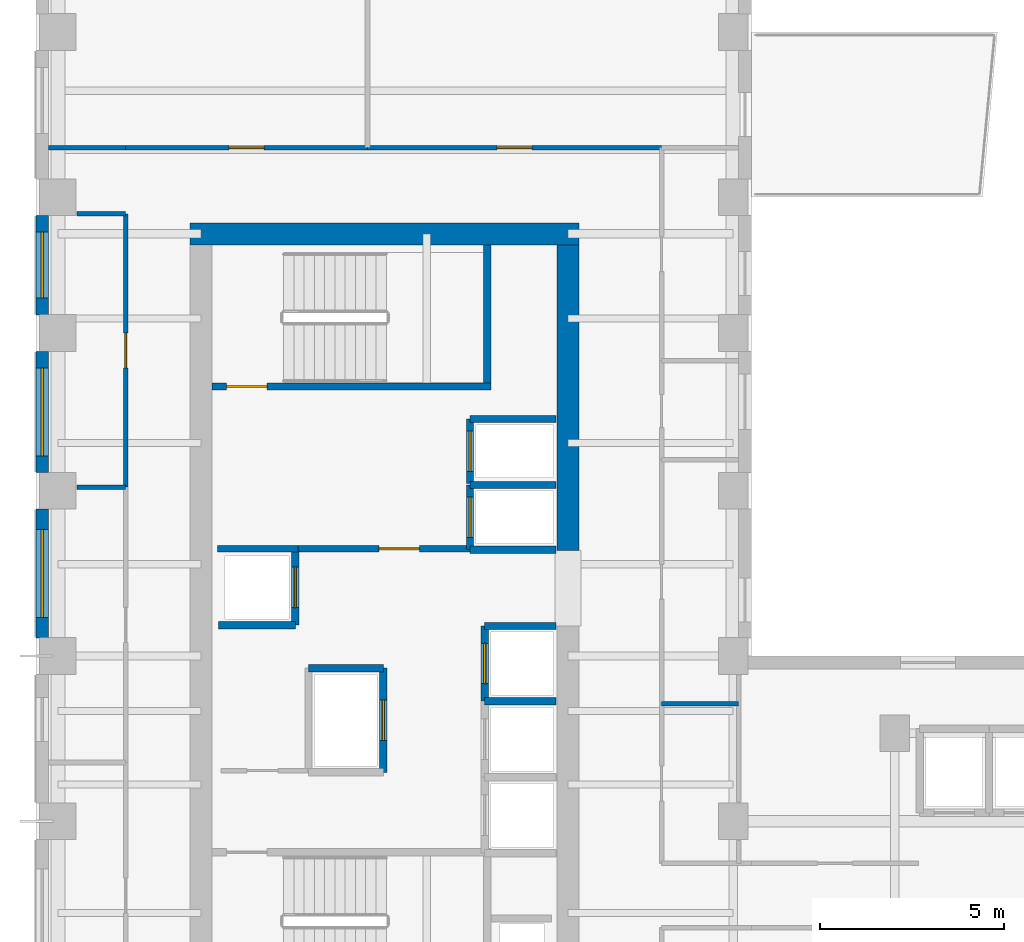
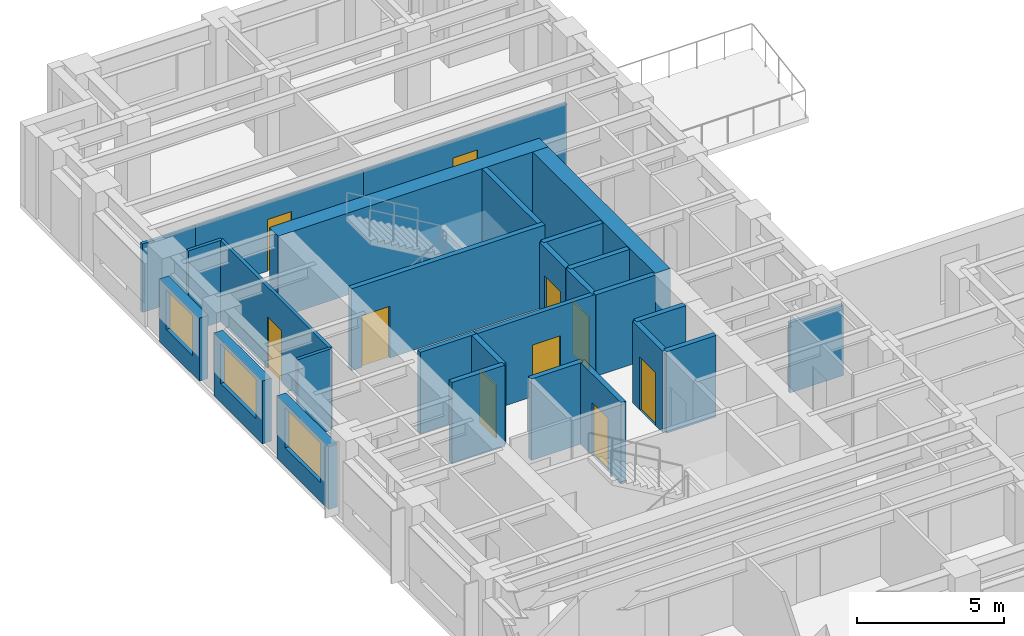
# One storey, part 5 of 10: 28 walls, 10 doors, 3 windows, 13 openings.
"""IFC4 building model written with IfcOpenShell, lengths in metres."""

from ifc_helpers import new_model, si_unit, direction, frame, frame_2d, origin, place, context, subcontext, project, spatial, rectangle, extrude, source, transform, mapped, material, layer, layer_set, type_object, element, fill, save


model = new_model("IFC4")

# Units and contexts
model_context = context("Model", 3, precision=1e-05, world=origin(), true_north=direction((0.0, 1.0)))
body_context = subcontext(model_context, "Body", "Model", "MODEL_VIEW")
ifc_project = project(units=[si_unit("LENGTHUNIT", "METRE"), si_unit("AREAUNIT", "SQUARE_METRE"), si_unit("VOLUMEUNIT", "CUBIC_METRE"), si_unit("PLANEANGLEUNIT", "RADIAN"), si_unit("MASSUNIT", "GRAM", prefix="KILO")], contexts=[model_context])

# Site, building, storey
site_placement = place(None, origin())
site = spatial("IfcSite", under=ifc_project, at=site_placement, CompositionType="ELEMENT")
building_placement = place(site_placement, origin())
building = spatial("IfcBuilding", under=site, at=building_placement, Name="Kharzan Plaza Tower", CompositionType="ELEMENT")
storey_placement = place(building_placement, frame((0.0, 0.0, 157.5)))
storey = spatial("IfcBuildingStorey", under=building, at=storey_placement, Name="L42", CompositionType="ELEMENT", Elevation=157.5)

# Wall, opening, window
ifc_material_1 = material(Name="Concrete C40/50", Category="concrete")
ifc_layer_1 = layer(ifc_material_1, 0.35009765625)
ifc_layer_set_1 = layer_set([ifc_layer_1], Name="Concrete C40/50")
wall_type_1 = type_object("IfcWallType", Name="WL-EXT-MAS-Z3", PredefinedType="SOLIDWALL", material=ifc_layer_set_1)
wall_1_placement = place(storey_placement, frame((0.175048828125, 30.001953125, 0.0), z_axis=(0.0, 0.0, 1.0), x_axis=(0.0, -1.0, 0.0)))
wall_1 = element("IfcWall", 1, at=wall_1_placement, inside=storey, type_object=wall_type_1, Name="L42 Masonry-Frame Exterior Wall 12", PredefinedType="SOLIDWALL", context=body_context, shape_type="SweptSolid", body=[
    extrude(rectangle(XDim=2.703857421875, YDim=0.35009765625, at=frame_2d((1.35205078125, 0.0))), origin(), (0.0, 0.0, 1.0), 2.612060546875),
])
opening_1_placement = place(wall_1_placement, frame((0.451904296875, 0.0, 0.780029296875)))
opening_1 = element("IfcOpeningElement", 2, at=opening_1_placement, cuts=wall_1, Name="Opening W1", PredefinedType="OPENING", context=body_context, shape_type="SweptSolid", body=[
    extrude(rectangle(XDim=1.800048828125, YDim=1.652099609375, at=frame_2d((0.89990234375, 0.826171875))), frame((0.0, 0.18505859375, 0.0), z_axis=(0.0, -1.0, 0.0), x_axis=(1.0, 0.0, 0.0)), (0.0, 0.0, 1.0), 0.3701171875),
])
ifc_material_2 = material(Name="Low-E Double Glazing", Category="glass")
window_type_1 = type_object("IfcWindowType", Name="WN-REC-1800x2100", PartitioningType="SINGLE_PANEL", PredefinedType="WINDOW", material=ifc_material_2)
shared_shape_1 = source(origin(), body_context, "Body", "SweptSolid", [
    extrude(rectangle(XDim=1.800048828125, YDim=1.652099609375, at=frame_2d((0.89990234375, 0.826171875))), frame((0.0, 0.030029296875, 0.0), z_axis=(0.0, -1.0, 0.0), x_axis=(1.0, 0.0, 0.0)), (0.0, 0.0, 1.0), 0.06005859375),
])
window_1_placement = place(opening_1_placement, origin())
window_1 = element("IfcWindow", 3, at=window_1_placement, inside=storey, type_object=window_type_1, Name="L42 Recessed Solar-Control Window 12-1", OverallHeight=1.652099609375, OverallWidth=1.800048828125, PartitioningType="SINGLE_PANEL", PredefinedType="WINDOW", context=body_context, shape_type="MappedRepresentation", body=[
    mapped(shared_shape_1, transform((0.0, 0.0, 0.0), x_axis=(1.0, 0.0, 0.0), y_axis=(0.0, 1.0, 0.0), z_axis=(0.0, 0.0, 1.0))),
])
fill(opening_1, window_1)

wall_2_placement = place(storey_placement, frame((0.175048828125, 26.302001953125, 0.0), z_axis=(0.0, 0.0, 1.0), x_axis=(0.0, -1.0, 0.0)))
wall_2 = element("IfcWall", 4, at=wall_2_placement, inside=storey, type_object=wall_type_1, Name="L42 Masonry-Frame Exterior Wall 13", PredefinedType="SOLIDWALL", context=body_context, shape_type="SweptSolid", body=[
    extrude(rectangle(XDim=3.303955078125, YDim=0.35009765625, at=frame_2d((1.65185546875, 0.0))), origin(), (0.0, 0.0, 1.0), 2.612060546875),
])
opening_2_placement = place(wall_2_placement, frame((0.451904296875, 0.0, 0.780029296875)))
opening_2 = element("IfcOpeningElement", 5, at=opening_2_placement, cuts=wall_2, Name="Opening W2", PredefinedType="OPENING", context=body_context, shape_type="SweptSolid", body=[
    extrude(rectangle(XDim=2.39990234375, YDim=1.652099609375, at=frame_2d((1.199951171875, 0.826171875))), frame((0.0, 0.18505859375, 0.0), z_axis=(0.0, -1.0, 0.0), x_axis=(1.0, 0.0, 0.0)), (0.0, 0.0, 1.0), 0.3701171875),
])
window_type_2 = type_object("IfcWindowType", Name="WN-REC-2400x2100", PartitioningType="SINGLE_PANEL", PredefinedType="WINDOW", material=ifc_material_2)
shared_shape_2 = source(origin(), body_context, "Body", "SweptSolid", [
    extrude(rectangle(XDim=2.39990234375, YDim=1.652099609375, at=frame_2d((1.199951171875, 0.826171875))), frame((0.0, 0.030029296875, 0.0), z_axis=(0.0, -1.0, 0.0), x_axis=(1.0, 0.0, 0.0)), (0.0, 0.0, 1.0), 0.06005859375),
])
window_2_placement = place(opening_2_placement, origin())
window_2 = element("IfcWindow", 6, at=window_2_placement, inside=storey, type_object=window_type_2, Name="L42 Wide Recessed Solar-Control Window 13-1", OverallHeight=1.652099609375, OverallWidth=2.39990234375, PartitioningType="SINGLE_PANEL", PredefinedType="WINDOW", context=body_context, shape_type="MappedRepresentation", body=[
    mapped(shared_shape_2, transform((0.0, 0.0, 0.0), x_axis=(1.0, 0.0, 0.0), y_axis=(0.0, 1.0, 0.0), z_axis=(0.0, 0.0, 1.0))),
])
fill(opening_2, window_2)

wall_3_placement = place(storey_placement, frame((0.175048828125, 22.001953125, 0.0), z_axis=(0.0, 0.0, 1.0), x_axis=(0.0, -1.0, 0.0)))
wall_3 = element("IfcWall", 7, at=wall_3_placement, inside=storey, type_object=wall_type_1, Name="L42 Masonry-Frame Exterior Wall 14", PredefinedType="SOLIDWALL", context=body_context, shape_type="SweptSolid", body=[
    extrude(rectangle(XDim=3.50390625, YDim=0.35009765625, at=frame_2d((1.751953125, 0.0))), origin(), (0.0, 0.0, 1.0), 2.612060546875),
])
opening_3_placement = place(wall_3_placement, frame((0.552001953125, 0.0, 0.780029296875)))
opening_3 = element("IfcOpeningElement", 8, at=opening_3_placement, cuts=wall_3, Name="Opening W2", PredefinedType="OPENING", context=body_context, shape_type="SweptSolid", body=[
    extrude(rectangle(XDim=2.39990234375, YDim=1.652099609375, at=frame_2d((1.199951171875, 0.826171875))), frame((0.0, 0.18505859375, 0.0), z_axis=(0.0, -1.0, 0.0), x_axis=(1.0, 0.0, 0.0)), (0.0, 0.0, 1.0), 0.3701171875),
])
window_3_placement = place(opening_3_placement, origin())
window_3 = element("IfcWindow", 9, at=window_3_placement, inside=storey, type_object=window_type_2, Name="L42 Wide Recessed Solar-Control Window 14-1", OverallHeight=1.652099609375, OverallWidth=2.39990234375, PartitioningType="SINGLE_PANEL", PredefinedType="WINDOW", context=body_context, shape_type="MappedRepresentation", body=[
    mapped(shared_shape_2, transform((0.0, 0.0, 0.0), x_axis=(1.0, 0.0, 0.0), y_axis=(0.0, 1.0, 0.0), z_axis=(0.0, 0.0, 1.0))),
])
fill(opening_3, window_3)

# Wall, opening, door
ifc_layer_2 = layer(ifc_material_1, 0.179931640625)
ifc_layer_set_2 = layer_set([ifc_layer_2], Name="Concrete C40/50")
wall_type_2 = type_object("IfcWallType", Name="WL-INT-FIRE-180", PredefinedType="PARTITIONING", material=ifc_layer_set_2)
wall_4_placement = place(storey_placement, frame((7.14990234375, 20.919921875, 0.0), z_axis=(0.0, 0.0, 1.0), x_axis=(1.0, 0.0, 0.0)))
wall_4 = element("IfcWall", 10, at=wall_4_placement, inside=storey, type_object=wall_type_2, Name="L42 Interior Partition CA-FF-S", PredefinedType="PARTITIONING", context=body_context, shape_type="SweptSolid", body=[
    extrude(rectangle(XDim=4.68017578125, YDim=0.179931640625, at=frame_2d((2.340087890625, 0.0))), origin(), (0.0, 0.0, 1.0), 3.385009765625),
])
opening_4_placement = place(wall_4_placement, frame((2.199951171875, 0.0, 0.0)))
opening_4 = element("IfcOpeningElement", 11, at=opening_4_placement, cuts=wall_4, Name="Opening FD1", PredefinedType="OPENING", context=body_context, shape_type="SweptSolid", body=[
    extrude(rectangle(XDim=1.10009765625, YDim=2.14990234375, at=frame_2d((0.550048828125, 1.074951171875))), frame((0.0, 0.099853515625, 0.0), z_axis=(0.0, -1.0, 0.0), x_axis=(1.0, 0.0, 0.0)), (0.0, 0.0, 1.0), 0.199951171875),
])
ifc_material_3 = material(Name="Fire-Rated Acoustic Vision-Panel Steel", Category="steel")
door_type_1 = type_object("IfcDoorType", Name="DR-FIRE-LOBBY", OperationType="NOTDEFINED", PredefinedType="DOOR", material=ifc_material_3)
shared_shape_3 = source(origin(), body_context, "Body", "SweptSolid", [
    extrude(rectangle(XDim=1.10009765625, YDim=2.14990234375, at=frame_2d((0.550048828125, 1.074951171875))), frame((0.0, 0.02490234375, 0.0), z_axis=(0.0, -1.0, 0.0), x_axis=(1.0, 0.0, 0.0)), (0.0, 0.0, 1.0), 0.050048828125),
])
door_1_placement = place(opening_4_placement, origin())
door_1 = element("IfcDoor", 12, at=door_1_placement, inside=storey, type_object=door_type_1, Name="L42 Firefighting Lobby Door", OperationType="SINGLE_SWING_RIGHT", OverallHeight=2.14990234375, OverallWidth=1.10009765625, PredefinedType="DOOR", context=body_context, shape_type="MappedRepresentation", body=[
    mapped(shared_shape_3, transform((0.0, 0.0, 0.0), x_axis=(1.0, 0.0, 0.0), y_axis=(0.0, 1.0, 0.0), z_axis=(0.0, 0.0, 1.0))),
])
fill(opening_4, door_1)

ifc_material_4 = material(Name="Fire-Rated Gypsum Board Partition", Category="gypsum")
ifc_layer_3 = layer(ifc_material_4, 0.125)
ifc_layer_set_3 = layer_set([ifc_layer_3], Name="Fire-Rated Gypsum Board Partition")
wall_type_3 = type_object("IfcWallType", Name="WL-INT-PART-125", PredefinedType="PARTITIONING", material=ifc_layer_set_3)
wall_5_placement = place(storey_placement, frame((2.449951171875, 31.85009765625, 0.0), z_axis=(0.0, 0.0, 1.0), x_axis=(1.0, 0.0, 0.0)))
wall_5 = element("IfcWall", 13, at=wall_5_placement, inside=storey, type_object=wall_type_3, Name="L42 Interior Partition SH-NN-1", PredefinedType="PARTITIONING", context=body_context, shape_type="SweptSolid", body=[
    extrude(rectangle(XDim=6.589111328125, YDim=0.125, at=frame_2d((3.29443359375, 0.0))), origin(), (0.0, 0.0, 1.0), 2.847900390625),
])
opening_5_placement = place(wall_5_placement, frame((2.819580078125, 0.0, 0.0)))
opening_5 = element("IfcOpeningElement", 14, at=opening_5_placement, cuts=wall_5, Name="Opening OD1", PredefinedType="OPENING", context=body_context, shape_type="SweptSolid", body=[
    extrude(rectangle(XDim=0.949951171875, YDim=2.14990234375, at=frame_2d((0.47509765625, 1.074951171875))), frame((0.0, 0.072509765625, 0.0), z_axis=(0.0, -1.0, 0.0), x_axis=(1.0, 0.0, 0.0)), (0.0, 0.0, 1.0), 0.14501953125),
])
ifc_material_5 = material(Name="Acoustic Solid-Core Stained Oak", Category="timber")
door_type_2 = type_object("IfcDoorType", Name="DR-OFF-SINGLE", OperationType="NOTDEFINED", PredefinedType="DOOR", material=ifc_material_5)
shared_shape_4 = source(origin(), body_context, "Body", "SweptSolid", [
    extrude(rectangle(XDim=0.949951171875, YDim=2.14990234375, at=frame_2d((0.47509765625, 1.074951171875))), frame((0.0, 0.02490234375, 0.0), z_axis=(0.0, -1.0, 0.0), x_axis=(1.0, 0.0, 0.0)), (0.0, 0.0, 1.0), 0.050048828125),
])
door_2_placement = place(opening_5_placement, origin())
door_2 = element("IfcDoor", 15, at=door_2_placement, inside=storey, type_object=door_type_2, Name="L42 Physiotherapy Treatment Room Door", OperationType="SINGLE_SWING_RIGHT", OverallHeight=2.14990234375, OverallWidth=0.949951171875, PredefinedType="DOOR", context=body_context, shape_type="MappedRepresentation", body=[
    mapped(shared_shape_4, transform((0.0, 0.0, 0.0), x_axis=(1.0, 0.0, 0.0), y_axis=(0.0, 1.0, 0.0), z_axis=(0.0, 0.0, 1.0))),
])
fill(opening_5, door_2)

wall_6_placement = place(storey_placement, frame((9.0390625, 31.85009765625, 0.0), z_axis=(0.0, 0.0, 1.0), x_axis=(1.0, 0.0, 0.0)))
wall_6 = element("IfcWall", 16, at=wall_6_placement, inside=storey, type_object=wall_type_3, Name="L42 Interior Partition SH-NN-2", PredefinedType="PARTITIONING", context=body_context, shape_type="SweptSolid", body=[
    extrude(rectangle(XDim=8.010986328125, YDim=0.125, at=frame_2d((4.00537109375, 0.0))), origin(), (0.0, 0.0, 1.0), 2.847900390625),
])
opening_6_placement = place(wall_6_placement, frame((3.530517578125, 0.0, 0.0)))
opening_6 = element("IfcOpeningElement", 17, at=opening_6_placement, cuts=wall_6, Name="Opening OD1", PredefinedType="OPENING", context=body_context, shape_type="SweptSolid", body=[
    extrude(rectangle(XDim=0.949951171875, YDim=2.14990234375, at=frame_2d((0.47509765625, 1.074951171875))), frame((0.0, 0.072509765625, 0.0), z_axis=(0.0, -1.0, 0.0), x_axis=(1.0, 0.0, 0.0)), (0.0, 0.0, 1.0), 0.14501953125),
])
door_3_placement = place(opening_6_placement, origin())
door_3 = element("IfcDoor", 18, at=door_3_placement, inside=storey, type_object=door_type_2, Name="L42 Occupational Health Treatment Room Door", OperationType="SINGLE_SWING_LEFT", OverallHeight=2.14990234375, OverallWidth=0.949951171875, PredefinedType="DOOR", context=body_context, shape_type="MappedRepresentation", body=[
    mapped(shared_shape_4, transform((0.0, 0.0, 0.0), x_axis=(1.0, 0.0, 0.0), y_axis=(0.0, 1.0, 0.0), z_axis=(0.0, 0.0, 1.0))),
])
fill(opening_6, door_3)

wall_7_placement = place(storey_placement, frame((2.449951171875, 22.60009765625, 0.0), z_axis=(0.0, 0.0, 1.0), x_axis=(0.0, 1.0, 0.0)))
wall_7 = element("IfcWall", 19, at=wall_7_placement, inside=storey, type_object=wall_type_3, Name="L42 Interior Partition SH-WW-3", PredefinedType="PARTITIONING", context=body_context, shape_type="SweptSolid", body=[
    extrude(rectangle(XDim=7.449951171875, YDim=0.125, at=frame_2d((3.72509765625, 0.0))), origin(), (0.0, 0.0, 1.0), 3.385009765625),
])
opening_7_placement = place(wall_7_placement, frame((3.25, 0.0, 0.0)))
opening_7 = element("IfcOpeningElement", 20, at=opening_7_placement, cuts=wall_7, Name="Opening OD1", PredefinedType="OPENING", context=body_context, shape_type="SweptSolid", body=[
    extrude(rectangle(XDim=0.949951171875, YDim=2.14990234375, at=frame_2d((0.47509765625, 1.074951171875))), frame((0.0, 0.072509765625, 0.0), z_axis=(0.0, -1.0, 0.0), x_axis=(1.0, 0.0, 0.0)), (0.0, 0.0, 1.0), 0.14501953125),
])
door_4_placement = place(opening_7_placement, origin())
door_4 = element("IfcDoor", 21, at=door_4_placement, inside=storey, type_object=door_type_2, Name="L42 Safety Briefing Room Door", OperationType="SINGLE_SWING_RIGHT", OverallHeight=2.14990234375, OverallWidth=0.949951171875, PredefinedType="DOOR", context=body_context, shape_type="MappedRepresentation", body=[
    mapped(shared_shape_4, transform((0.0, 0.0, 0.0), x_axis=(1.0, 0.0, 0.0), y_axis=(0.0, 1.0, 0.0), z_axis=(0.0, 0.0, 1.0))),
])
fill(opening_7, door_4)

ifc_layer_4 = layer(ifc_material_1, 0.199951171875)
ifc_layer_set_4 = layer_set([ifc_layer_4], Name="Concrete C40/50")
wall_type_4 = type_object("IfcWallType", Name="WL-INT-SHAFT-200", PredefinedType="PARTITIONING", material=ifc_layer_set_4)
wall_8_placement = place(storey_placement, frame((11.830078125, 20.89990234375, 0.0), z_axis=(0.0, 0.0, 1.0), x_axis=(0.0, 1.0, 0.0)))
wall_8 = element("IfcWall", 22, at=wall_8_placement, inside=storey, type_object=wall_type_4, Name="L42 Interior Partition SHF-FFL-1-W", PredefinedType="PARTITIONING", context=body_context, shape_type="SweptSolid", body=[
    extrude(rectangle(XDim=1.760009765625, YDim=0.199951171875, at=frame_2d((0.8798828125, 0.0))), origin(), (0.0, 0.0, 1.0), 3.385009765625),
])
opening_8_placement = place(wall_8_placement, frame((0.330078125, 0.0, 0.0)))
opening_8 = element("IfcOpeningElement", 23, at=opening_8_placement, cuts=wall_8, Name="Opening LD", PredefinedType="OPENING", context=body_context, shape_type="SweptSolid", body=[
    extrude(rectangle(XDim=1.10009765625, YDim=2.199951171875, at=frame_2d((0.550048828125, 1.10009765625))), frame((0.0, 0.10986328125, 0.0), z_axis=(0.0, -1.0, 0.0), x_axis=(1.0, 0.0, 0.0)), (0.0, 0.0, 1.0), 0.219970703125),
])
ifc_material_6 = material(Name="Brushed Stainless Steel", Category="steel")
door_type_3 = type_object("IfcDoorType", Name="DR-LIFT-SLIDE", OperationType="SLIDING_TO_LEFT", PredefinedType="DOOR", material=ifc_material_6)
shared_shape_5 = source(origin(), body_context, "Body", "SweptSolid", [
    extrude(rectangle(XDim=1.10009765625, YDim=2.199951171875, at=frame_2d((0.550048828125, 1.10009765625))), frame((0.0, 0.02490234375, 0.0), z_axis=(0.0, -1.0, 0.0), x_axis=(1.0, 0.0, 0.0)), (0.0, 0.0, 1.0), 0.050048828125),
])
door_5_placement = place(opening_8_placement, origin())
door_5 = element("IfcDoor", 24, at=door_5_placement, inside=storey, type_object=door_type_3, Name="L42 Firefighting Lift FFL-1 Sliding Landing Door", OperationType="SLIDING_TO_LEFT", OverallHeight=2.199951171875, OverallWidth=1.10009765625, PredefinedType="DOOR", context=body_context, shape_type="MappedRepresentation", body=[
    mapped(shared_shape_5, transform((0.0, 0.0, 0.0), x_axis=(1.0, 0.0, 0.0), y_axis=(0.0, 1.0, 0.0), z_axis=(0.0, 0.0, 1.0))),
])
fill(opening_8, door_5)

wall_9_placement = place(storey_placement, frame((11.830078125, 22.699951171875, 0.0), z_axis=(0.0, 0.0, 1.0), x_axis=(0.0, 1.0, 0.0)))
wall_9 = element("IfcWall", 25, at=wall_9_placement, inside=storey, type_object=wall_type_4, Name="L42 Interior Partition SHF-FFL-2-W", PredefinedType="PARTITIONING", context=body_context, shape_type="SweptSolid", body=[
    extrude(rectangle(XDim=1.760009765625, YDim=0.199951171875, at=frame_2d((0.8798828125, 0.0))), origin(), (0.0, 0.0, 1.0), 3.385009765625),
])
opening_9_placement = place(wall_9_placement, frame((0.330078125, 0.0, 0.0)))
opening_9 = element("IfcOpeningElement", 26, at=opening_9_placement, cuts=wall_9, Name="Opening LD", PredefinedType="OPENING", context=body_context, shape_type="SweptSolid", body=[
    extrude(rectangle(XDim=1.10009765625, YDim=2.199951171875, at=frame_2d((0.550048828125, 1.10009765625))), frame((0.0, 0.10986328125, 0.0), z_axis=(0.0, -1.0, 0.0), x_axis=(1.0, 0.0, 0.0)), (0.0, 0.0, 1.0), 0.219970703125),
])
door_6_placement = place(opening_9_placement, origin())
door_6 = element("IfcDoor", 27, at=door_6_placement, inside=storey, type_object=door_type_3, Name="L42 Firefighting Lift FFL-2 Sliding Landing Door", OperationType="SLIDING_TO_LEFT", OverallHeight=2.199951171875, OverallWidth=1.10009765625, PredefinedType="DOOR", context=body_context, shape_type="MappedRepresentation", body=[
    mapped(shared_shape_5, transform((0.0, 0.0, 0.0), x_axis=(1.0, 0.0, 0.0), y_axis=(0.0, 1.0, 0.0), z_axis=(0.0, 0.0, 1.0))),
])
fill(opening_9, door_6)

wall_10_placement = place(storey_placement, frame((12.22998046875, 16.77001953125, 0.0), z_axis=(0.0, 0.0, 1.0), x_axis=(0.0, 1.0, 0.0)))
wall_10 = element("IfcWall", 28, at=wall_10_placement, inside=storey, type_object=wall_type_4, Name="L42 Interior Partition SHF-PL-H3-W", PredefinedType="PARTITIONING", context=body_context, shape_type="SweptSolid", body=[
    extrude(rectangle(XDim=2.050048828125, YDim=0.199951171875, at=frame_2d((1.02490234375, 0.0))), origin(), (0.0, 0.0, 1.0), 3.385009765625),
])
opening_10_placement = place(wall_10_placement, frame((0.47509765625, 0.0, 0.0)))
opening_10 = element("IfcOpeningElement", 29, at=opening_10_placement, cuts=wall_10, Name="Opening LD", PredefinedType="OPENING", context=body_context, shape_type="SweptSolid", body=[
    extrude(rectangle(XDim=1.10009765625, YDim=2.199951171875, at=frame_2d((0.550048828125, 1.10009765625))), frame((0.0, 0.10986328125, 0.0), z_axis=(0.0, -1.0, 0.0), x_axis=(1.0, 0.0, 0.0)), (0.0, 0.0, 1.0), 0.219970703125),
])
door_7_placement = place(opening_10_placement, origin())
door_7 = element("IfcDoor", 30, at=door_7_placement, inside=storey, type_object=door_type_3, Name="L42 High-Rise Passenger Lift PL-H3 Sliding Landing Door", OperationType="SLIDING_TO_LEFT", OverallHeight=2.199951171875, OverallWidth=1.10009765625, PredefinedType="DOOR", context=body_context, shape_type="MappedRepresentation", body=[
    mapped(shared_shape_5, transform((0.0, 0.0, 0.0), x_axis=(1.0, 0.0, 0.0), y_axis=(0.0, 1.0, 0.0), z_axis=(0.0, 0.0, 1.0))),
])
fill(opening_10, door_7)

wall_11_placement = place(storey_placement, frame((7.070068359375, 18.840087890625, 0.0), z_axis=(0.0, 0.0, 1.0), x_axis=(0.0, 1.0, 0.0)))
wall_11 = element("IfcWall", 31, at=wall_11_placement, inside=storey, type_object=wall_type_4, Name="L42 Interior Partition SHF-PL-H4-E", PredefinedType="PARTITIONING", context=body_context, shape_type="SweptSolid", body=[
    extrude(rectangle(XDim=2.059814453125, YDim=0.199951171875, at=frame_2d((1.02978515625, 0.0))), origin(), (0.0, 0.0, 1.0), 3.385009765625),
])
opening_11_placement = place(wall_11_placement, frame((0.47998046875, 0.0, 0.0)))
opening_11 = element("IfcOpeningElement", 32, at=opening_11_placement, cuts=wall_11, Name="Opening LD", PredefinedType="OPENING", context=body_context, shape_type="SweptSolid", body=[
    extrude(rectangle(XDim=1.10009765625, YDim=2.199951171875, at=frame_2d((0.550048828125, 1.10009765625))), frame((0.0, 0.10986328125, 0.0), z_axis=(0.0, -1.0, 0.0), x_axis=(1.0, 0.0, 0.0)), (0.0, 0.0, 1.0), 0.219970703125),
])
door_8_placement = place(opening_11_placement, origin())
door_8 = element("IfcDoor", 33, at=door_8_placement, inside=storey, type_object=door_type_3, Name="L42 High-Rise Passenger Lift PL-H4 Sliding Landing Door", OperationType="SLIDING_TO_LEFT", OverallHeight=2.199951171875, OverallWidth=1.10009765625, PredefinedType="DOOR", context=body_context, shape_type="MappedRepresentation", body=[
    mapped(shared_shape_5, transform((0.0, 0.0, 0.0), x_axis=(1.0, 0.0, 0.0), y_axis=(0.0, 1.0, 0.0), z_axis=(0.0, 0.0, 1.0))),
])
fill(opening_11, door_8)

wall_12_placement = place(storey_placement, frame((9.469970703125, 14.830078125, 0.0), z_axis=(0.0, 0.0, 1.0), x_axis=(0.0, 1.0, 0.0)))
wall_12 = element("IfcWall", 34, at=wall_12_placement, inside=storey, type_object=wall_type_4, Name="L42 Interior Partition SHF-SVL-1-E", PredefinedType="PARTITIONING", context=body_context, shape_type="SweptSolid", body=[
    extrude(rectangle(XDim=2.83984375, YDim=0.199951171875, at=frame_2d((1.419921875, 0.0))), origin(), (0.0, 0.0, 1.0), 3.385009765625),
])
opening_12_placement = place(wall_12_placement, frame((0.8701171875, 0.0, 0.0)))
opening_12 = element("IfcOpeningElement", 35, at=opening_12_placement, cuts=wall_12, Name="Opening LD", PredefinedType="OPENING", context=body_context, shape_type="SweptSolid", body=[
    extrude(rectangle(XDim=1.10009765625, YDim=2.199951171875, at=frame_2d((0.550048828125, 1.10009765625))), frame((0.0, 0.10986328125, 0.0), z_axis=(0.0, -1.0, 0.0), x_axis=(1.0, 0.0, 0.0)), (0.0, 0.0, 1.0), 0.219970703125),
])
door_9_placement = place(opening_12_placement, origin())
door_9 = element("IfcDoor", 36, at=door_9_placement, inside=storey, type_object=door_type_3, Name="L42 Service Lift SVL-1 Sliding Landing Door", OperationType="SLIDING_TO_LEFT", OverallHeight=2.199951171875, OverallWidth=1.10009765625, PredefinedType="DOOR", context=body_context, shape_type="MappedRepresentation", body=[
    mapped(shared_shape_5, transform((0.0, 0.0, 0.0), x_axis=(1.0, 0.0, 0.0), y_axis=(0.0, 1.0, 0.0), z_axis=(0.0, 0.0, 1.0))),
])
fill(opening_12, door_9)

ifc_material_7 = material(Name="Concrete C50/60", Category="concrete")
ifc_layer_5 = layer(ifc_material_7, 0.199951171875)
ifc_layer_set_5 = layer_set([ifc_layer_5], Name="Concrete C50/60")
wall_type_5 = type_object("IfcWallType", Name="WL-SHAFT-RC200", PredefinedType="SHEAR", material=ifc_layer_set_5)
wall_13_placement = place(storey_placement, frame((4.802001953125, 25.344970703125, 0.0), z_axis=(0.0, 0.0, 1.0), x_axis=(1.0, 0.0, 0.0)))
wall_13 = element("IfcWall", 37, at=wall_13_placement, inside=storey, type_object=wall_type_5, Name="L42 Stair ST-2 South RC Shaft Wall", PredefinedType="SHEAR", context=body_context, shape_type="SweptSolid", body=[
    extrude(rectangle(XDim=7.60302734375, YDim=0.199951171875, at=frame_2d((3.801513671875, 0.0))), origin(), (0.0, 0.0, 1.0), 3.39990234375),
])
opening_13_placement = place(wall_13_placement, frame((0.39990234375, 0.0, 0.0)))
opening_13 = element("IfcOpeningElement", 38, at=opening_13_placement, cuts=wall_13, Name="Opening SD1", PredefinedType="OPENING", context=body_context, shape_type="SweptSolid", body=[
    extrude(rectangle(XDim=1.10009765625, YDim=2.14990234375, at=frame_2d((0.550048828125, 1.074951171875))), frame((0.0, 0.10986328125, 0.0), z_axis=(0.0, -1.0, 0.0), x_axis=(1.0, 0.0, 0.0)), (0.0, 0.0, 1.0), 0.219970703125),
])
ifc_material_8 = material(Name="Fire-Rated Hollow Galvanized Steel", Category="steel")
door_type_4 = type_object("IfcDoorType", Name="DR-STAIR-FD120", OperationType="NOTDEFINED", PredefinedType="DOOR", material=ifc_material_8)
shared_shape_6 = source(origin(), body_context, "Body", "SweptSolid", [
    extrude(rectangle(XDim=1.10009765625, YDim=2.14990234375, at=frame_2d((0.550048828125, 1.074951171875))), frame((0.0, 0.02490234375, 0.0), z_axis=(0.0, -1.0, 0.0), x_axis=(1.0, 0.0, 0.0)), (0.0, 0.0, 1.0), 0.050048828125),
])
door_10_placement = place(opening_13_placement, origin())
door_10 = element("IfcDoor", 39, at=door_10_placement, inside=storey, type_object=door_type_4, Name="L42 Stair ST-2 Fire Exit Door", OperationType="SINGLE_SWING_LEFT", OverallHeight=2.14990234375, OverallWidth=1.10009765625, PredefinedType="DOOR", context=body_context, shape_type="MappedRepresentation", body=[
    mapped(shared_shape_6, transform((0.0, 0.0, 0.0), x_axis=(1.0, 0.0, 0.0), y_axis=(0.0, 1.0, 0.0), z_axis=(0.0, 0.0, 1.0))),
])
fill(opening_13, door_10)

# Walls
ifc_layer_6 = layer(ifc_material_7, 0.60009765625)
ifc_layer_set_6 = layer_set([ifc_layer_6], Name="Concrete C50/60")
wall_type_6 = type_object("IfcWallType", Name="WL-CORE-600", PredefinedType="SHEAR", material=ifc_layer_set_6)
shared_shape_7 = source(origin(), body_context, "Body", "SweptSolid", [
    extrude(rectangle(XDim=8.320068359375, YDim=0.60009765625, at=frame_2d((4.16015625, 0.0))), origin(), (0.0, 0.0, 1.0), 3.39990234375),
])
wall_14_placement = place(storey_placement, frame((14.5, 20.8798828125, 0.0), z_axis=(0.0, 0.0, 1.0), x_axis=(0.0, 1.0, 0.0)))
element("IfcWall", 40, at=wall_14_placement, inside=storey, type_object=wall_type_6, Name="L42 CORE-A east shear pier 2", PredefinedType="SHEAR", context=body_context, shape_type="MappedRepresentation", body=[
    mapped(shared_shape_7, transform((0.0, 0.0, 0.0), x_axis=(1.0, 0.0, 0.0), y_axis=(0.0, 1.0, 0.0), z_axis=(0.0, 0.0, 1.0))),
])
shared_shape_8 = source(origin(), body_context, "Body", "SweptSolid", [
    extrude(rectangle(XDim=10.60009765625, YDim=0.60009765625, at=frame_2d((5.300048828125, 0.0))), origin(), (0.0, 0.0, 1.0), 3.39990234375),
])
wall_15_placement = place(storey_placement, frame((4.199951171875, 29.5, 0.0), z_axis=(0.0, 0.0, 1.0), x_axis=(1.0, 0.0, 0.0)))
element("IfcWall", 41, at=wall_15_placement, inside=storey, type_object=wall_type_6, Name="L42 CORE-A north RC shear wall", PredefinedType="SHEAR", context=body_context, shape_type="MappedRepresentation", body=[
    mapped(shared_shape_8, transform((0.0, 0.0, 0.0), x_axis=(1.0, 0.0, 0.0), y_axis=(0.0, 1.0, 0.0), z_axis=(0.0, 0.0, 1.0))),
])
shared_shape_9 = source(origin(), body_context, "Body", "SweptSolid", [
    extrude(rectangle(XDim=2.199951171875, YDim=0.179931640625, at=frame_2d((1.10009765625, 0.0))), origin(), (0.0, 0.0, 1.0), 3.385009765625),
])
wall_16_placement = place(storey_placement, frame((4.949951171875, 20.919921875, 0.0), z_axis=(0.0, 0.0, 1.0), x_axis=(1.0, 0.0, 0.0)))
element("IfcWall", 42, at=wall_16_placement, inside=storey, type_object=wall_type_2, Name="L42 Interior Partition CA-FF-SW", PredefinedType="PARTITIONING", context=body_context, shape_type="MappedRepresentation", body=[
    mapped(shared_shape_9, transform((0.0, 0.0, 0.0), x_axis=(1.0, 0.0, 0.0), y_axis=(0.0, 1.0, 0.0), z_axis=(0.0, 0.0, 1.0))),
])
shared_shape_10 = source(origin(), body_context, "Body", "SweptSolid", [
    extrude(rectangle(XDim=2.097900390625, YDim=0.125, at=frame_2d((1.048828125, 0.0))), origin(), (0.0, 0.0, 1.0), 2.847900390625),
])
wall_17_placement = place(storey_placement, frame((0.35205078125, 31.85009765625, 0.0), z_axis=(0.0, 0.0, 1.0), x_axis=(1.0, 0.0, 0.0)))
element("IfcWall", 43, at=wall_17_placement, inside=storey, type_object=wall_type_3, Name="L42 Interior Partition SH-NNW0", PredefinedType="PARTITIONING", context=body_context, shape_type="MappedRepresentation", body=[
    mapped(shared_shape_10, transform((0.0, 0.0, 0.0), x_axis=(1.0, 0.0, 0.0), y_axis=(0.0, 1.0, 0.0), z_axis=(0.0, 0.0, 1.0))),
])
shared_shape_11 = source(origin(), body_context, "Body", "SweptSolid", [
    extrude(rectangle(XDim=2.33984375, YDim=0.199951171875, at=frame_2d((1.169921875, 0.0))), origin(), (0.0, 0.0, 1.0), 3.385009765625),
])
for number, where, z_axis, x_axis, name in (
    (44, (11.830078125, 22.659912109375, 0.0), (0.0, 0.0, 1.0), (1.0, 0.0, 0.0), "L42 Interior Partition SHF-FFL-1-N"),
    (45, (11.830078125, 20.89990234375, 0.0), (0.0, 0.0, 1.0), (1.0, 0.0, 0.0), "L42 Interior Partition SHF-FFL-1-S"),
    (46, (11.830078125, 24.4599609375, 0.0), (0.0, 0.0, 1.0), (1.0, 0.0, 0.0), "L42 Interior Partition SHF-FFL-2-N"),
):
    element("IfcWall", number, at=place(storey_placement, frame(where, z_axis=z_axis, x_axis=x_axis)), inside=storey, type_object=wall_type_4, Name=name, PredefinedType="PARTITIONING", context=body_context, shape_type="MappedRepresentation", body=[
        mapped(shared_shape_11, transform((0.0, 0.0, 0.0), x_axis=(1.0, 0.0, 0.0), y_axis=(0.0, 1.0, 0.0), z_axis=(0.0, 0.0, 1.0))),
    ])
shared_shape_12 = source(origin(), body_context, "Body", "SweptSolid", [
    extrude(rectangle(XDim=1.93994140625, YDim=0.199951171875, at=frame_2d((0.969970703125, 0.0))), origin(), (0.0, 0.0, 1.0), 3.385009765625),
])
for number, where, z_axis, x_axis, name in (
    (47, (12.22998046875, 16.77001953125, 0.0), (0.0, 0.0, 1.0), (1.0, 0.0, 0.0), "L42 Interior Partition SHF-PL-H2-N"),
    (48, (12.22998046875, 18.820068359375, 0.0), (0.0, 0.0, 1.0), (1.0, 0.0, 0.0), "L42 Interior Partition SHF-PL-H3-N"),
):
    element("IfcWall", number, at=place(storey_placement, frame(where, z_axis=z_axis, x_axis=x_axis)), inside=storey, type_object=wall_type_4, Name=name, PredefinedType="PARTITIONING", context=body_context, shape_type="MappedRepresentation", body=[
        mapped(shared_shape_12, transform((0.0, 0.0, 0.0), x_axis=(1.0, 0.0, 0.0), y_axis=(0.0, 1.0, 0.0), z_axis=(0.0, 0.0, 1.0))),
    ])
shared_shape_13 = source(origin(), body_context, "Body", "SweptSolid", [
    extrude(rectangle(XDim=2.090087890625, YDim=0.199951171875, at=frame_2d((1.044921875, 0.0))), origin(), (0.0, 0.0, 1.0), 3.385009765625),
])
wall_18_placement = place(storey_placement, frame((4.97998046875, 18.840087890625, 0.0), z_axis=(0.0, 0.0, 1.0), x_axis=(1.0, 0.0, 0.0)))
element("IfcWall", 49, at=wall_18_placement, inside=storey, type_object=wall_type_4, Name="L42 Interior Partition SHF-PL-H4-S", PredefinedType="PARTITIONING", context=body_context, shape_type="MappedRepresentation", body=[
    mapped(shared_shape_13, transform((0.0, 0.0, 0.0), x_axis=(1.0, 0.0, 0.0), y_axis=(0.0, 1.0, 0.0), z_axis=(0.0, 0.0, 1.0))),
])
shared_shape_14 = source(origin(), body_context, "Body", "SweptSolid", [
    extrude(rectangle(XDim=2.0400390625, YDim=0.199951171875, at=frame_2d((1.02001953125, 0.0))), origin(), (0.0, 0.0, 1.0), 3.385009765625),
])
wall_19_placement = place(storey_placement, frame((7.429931640625, 17.669921875, 0.0), z_axis=(0.0, 0.0, 1.0), x_axis=(1.0, 0.0, 0.0)))
element("IfcWall", 50, at=wall_19_placement, inside=storey, type_object=wall_type_4, Name="L42 Interior Partition SHF-SVL-1-N", PredefinedType="PARTITIONING", context=body_context, shape_type="MappedRepresentation", body=[
    mapped(shared_shape_14, transform((0.0, 0.0, 0.0), x_axis=(1.0, 0.0, 0.0), y_axis=(0.0, 1.0, 0.0), z_axis=(0.0, 0.0, 1.0))),
])
shared_shape_15 = source(origin(), body_context, "Body", "SweptSolid", [
    extrude(rectangle(XDim=3.7529296875, YDim=0.199951171875, at=frame_2d((1.87646484375, 0.0))), origin(), (0.0, 0.0, 1.0), 3.39990234375),
])
wall_20_placement = place(storey_placement, frame((12.304931640625, 25.445068359375, 0.0), z_axis=(0.0, 0.0, 1.0), x_axis=(0.0, 1.0, 0.0)))
element("IfcWall", 51, at=wall_20_placement, inside=storey, type_object=wall_type_5, Name="L42 Stair ST-2 East RC Shaft Wall", PredefinedType="SHEAR", context=body_context, shape_type="MappedRepresentation", body=[
    mapped(shared_shape_15, transform((0.0, 0.0, 0.0), x_axis=(1.0, 0.0, 0.0), y_axis=(0.0, 1.0, 0.0), z_axis=(0.0, 0.0, 1.0))),
])
shared_shape_16 = source(origin(), body_context, "Body", "SweptSolid", [
    extrude(rectangle(XDim=1.329833984375, YDim=0.125, at=frame_2d((0.6650390625, 0.0))), origin(), (0.0, 0.0, 1.0), 3.385009765625),
])
for number, where, z_axis, x_axis, name in (
    (52, (1.1201171875, 30.050048828125, 0.0), (0.0, 0.0, 1.0), (1.0, 0.0, 0.0), "L42 Interior Partition SH-RWN0"),
    (53, (1.1201171875, 22.60009765625, 0.0), (0.0, 0.0, 1.0), (1.0, 0.0, 0.0), "L42 Interior Partition SH-WH-2"),
):
    element("IfcWall", number, at=place(storey_placement, frame(where, z_axis=z_axis, x_axis=x_axis)), inside=storey, type_object=wall_type_3, Name=name, PredefinedType="PARTITIONING", context=body_context, shape_type="MappedRepresentation", body=[
        mapped(shared_shape_16, transform((0.0, 0.0, 0.0), x_axis=(1.0, 0.0, 0.0), y_axis=(0.0, 1.0, 0.0), z_axis=(0.0, 0.0, 1.0))),
    ])
shared_shape_17 = source(origin(), body_context, "Body", "SweptSolid", [
    extrude(rectangle(XDim=2.099853515625, YDim=0.125, at=frame_2d((1.0498046875, 0.0))), origin(), (0.0, 0.0, 1.0), 2.916015625),
])
wall_21_placement = place(storey_placement, frame((17.050048828125, 16.699951171875, 0.0), z_axis=(0.0, 0.0, 1.0), x_axis=(1.0, 0.0, 0.0)))
element("IfcWall", 54, at=wall_21_placement, inside=storey, type_object=wall_type_3, Name="L42 Interior Partition SH-AEH-167", PredefinedType="PARTITIONING", context=body_context, shape_type="MappedRepresentation", body=[
    mapped(shared_shape_17, transform((0.0, 0.0, 0.0), x_axis=(1.0, 0.0, 0.0), y_axis=(0.0, 1.0, 0.0), z_axis=(0.0, 0.0, 1.0))),
])

save(model, "model.ifc")
